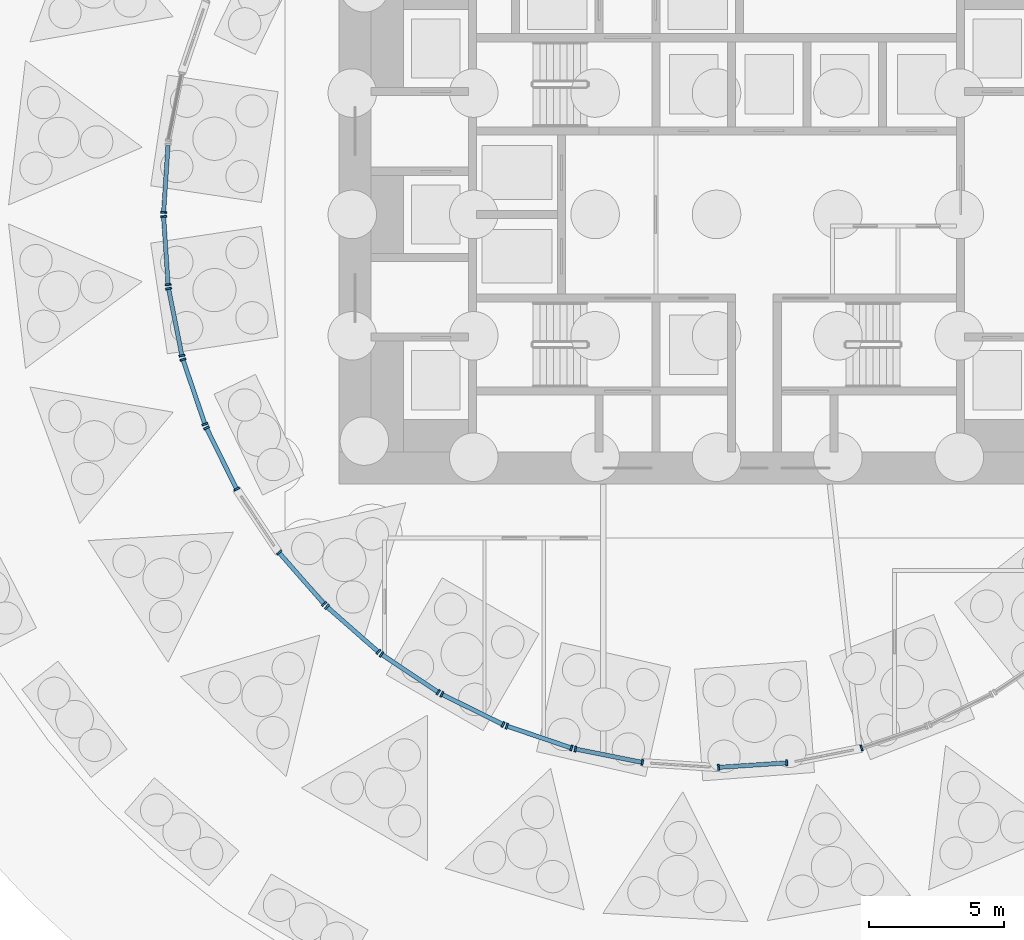
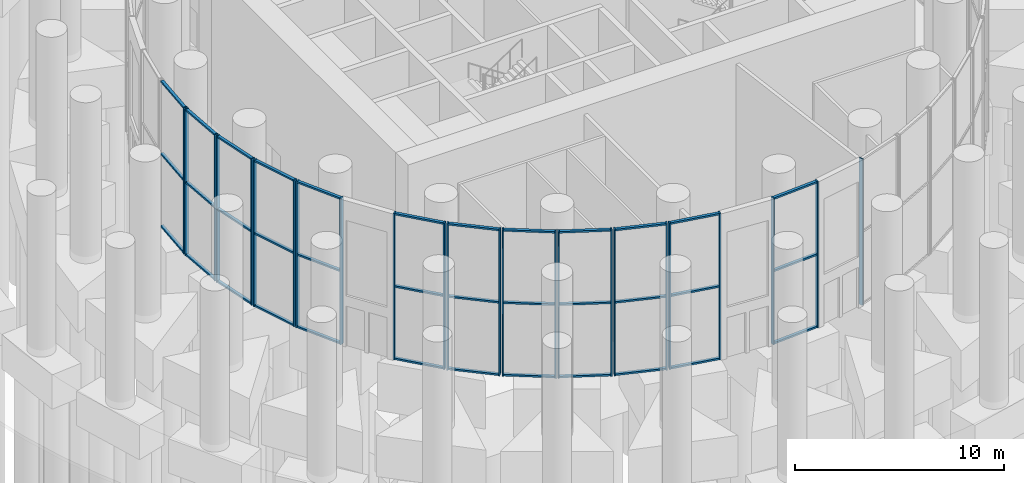
# One storey, part 6 of 20: 60 members, 13 elements without a shape of their own.
"""IFC4 building model written with IfcOpenShell, lengths in metres."""

from ifc_helpers import new_model, si_unit, direction, frame, origin, origin_2d, place, context, subcontext, project, spatial, rectangle, extrude, material, material_profile, profile_set, type_object, element, aggregate, save


model = new_model("IFC4")

# Units and contexts
model_context = context("Model", 3, precision=1e-05, world=origin(), true_north=direction((0.0, 1.0)))
body_context = subcontext(model_context, "Body", "Model", "MODEL_VIEW")
ifc_project = project(units=[si_unit("LENGTHUNIT", "METRE"), si_unit("AREAUNIT", "SQUARE_METRE"), si_unit("VOLUMEUNIT", "CUBIC_METRE"), si_unit("PLANEANGLEUNIT", "RADIAN"), si_unit("MASSUNIT", "GRAM", prefix="KILO")], contexts=[model_context])

# Site, building, storey
site_placement = place(None, origin())
site = spatial("IfcSite", under=ifc_project, at=site_placement, CompositionType="ELEMENT")
building_placement = place(site_placement, origin())
building = spatial("IfcBuilding", under=site, at=building_placement, Name="Tracery Tower", CompositionType="ELEMENT")
storey_placement = place(building_placement, origin())
storey = spatial("IfcBuildingStorey", under=building, at=storey_placement, Name="L00", CompositionType="ELEMENT", Elevation=0.0)

# Curtain wall, member
ifc_material_1 = material(Name="Aluminium curtain wall with tinted glass", Category="aluminium")
curtain_wall_type = type_object("IfcCurtainWallType", Name="Pavilion storefront curtain wall", PredefinedType="NOTDEFINED", material=ifc_material_1)
curtain_wall_1_placement = place(storey_placement, origin())
curtain_wall_1 = element("IfcCurtainWall", 1, at=curtain_wall_1_placement, inside=storey, type_object=curtain_wall_type, Name="Pavilion storefront run 23", PredefinedType="NOTDEFINED")
ifc_material_2 = material(Name="Aluminium, bronze anodised", Category="aluminium")
ifc_material_profile_1 = material_profile(ifc_material_2, rectangle(XDim=0.219970703125, YDim=0.070068359375, at=origin_2d()), Name="Pavilion storefront mullion 70 x 220")
ifc_profile_set_1 = profile_set([ifc_material_profile_1], Name="Aluminium, bronze anodised")
member_type_1 = type_object("IfcMemberType", Name="Pavilion storefront mullion 70 x 220", PredefinedType="MULLION", material=ifc_profile_set_1)
member_1_placement = place(storey_placement, frame((-20.4951171875, 0.07470703125, 0.0), z_axis=(0.0, 0.0, 1.0), x_axis=(0.997857689569, -0.065421948674, 0.0)))
member_1 = element("IfcMember", 2, at=member_1_placement, type_object=member_type_1, Name="CWB1 mullion 2", PredefinedType="MULLION", context=body_context, shape_type="SweptSolid", body=[
    extrude(rectangle(XDim=0.219970703125, YDim=0.070068359375, at=origin_2d()), origin(), (0.0, 0.0, 1.0), 8.550048828125),
])

# Curtain wall, members
curtain_wall_2_placement = place(storey_placement, origin())
curtain_wall_2 = element("IfcCurtainWall", 3, at=curtain_wall_2_placement, inside=storey, type_object=curtain_wall_type, Name="Pavilion storefront run 24", PredefinedType="NOTDEFINED")
member_2_placement = place(storey_placement, frame((-20.4951171875, -0.07470703125, 0.0), z_axis=(0.0, 0.0, 1.0), x_axis=(0.997857689569, 0.065421948674, 0.0)))
member_2 = element("IfcMember", 4, at=member_2_placement, type_object=member_type_1, Name="CWB1 mullion 1", PredefinedType="MULLION", context=body_context, shape_type="SweptSolid", body=[
    extrude(rectangle(XDim=0.219970703125, YDim=0.070068359375, at=origin_2d()), origin(), (0.0, 0.0, 1.0), 8.550048828125),
])
member_3_placement = place(storey_placement, frame((-20.32958984375, -2.60107421875, 0.0), z_axis=(0.0, 0.0, 1.0), x_axis=(0.997857689569, 0.065421948674, 0.0)))
member_3 = element("IfcMember", 5, at=member_3_placement, type_object=member_type_1, Name="CWB1 mullion 2", PredefinedType="MULLION", context=body_context, shape_type="SweptSolid", body=[
    extrude(rectangle(XDim=0.219970703125, YDim=0.070068359375, at=origin_2d()), origin(), (0.0, 0.0, 1.0), 8.550048828125),
])

curtain_wall_3_placement = place(storey_placement, origin())
curtain_wall_3 = element("IfcCurtainWall", 6, at=curtain_wall_3_placement, inside=storey, type_object=curtain_wall_type, Name="Pavilion storefront run 25", PredefinedType="NOTDEFINED")
member_4_placement = place(storey_placement, frame((-20.31005859375, -2.749267578125, 0.0), z_axis=(0.0, 0.0, 1.0), x_axis=(0.980788574976, 0.195073758352, 0.0)))
member_4 = element("IfcMember", 7, at=member_4_placement, type_object=member_type_1, Name="CWB1 mullion 1", PredefinedType="MULLION", context=body_context, shape_type="SweptSolid", body=[
    extrude(rectangle(XDim=0.219970703125, YDim=0.070068359375, at=origin_2d()), origin(), (0.0, 0.0, 1.0), 8.550048828125),
])
member_5_placement = place(storey_placement, frame((-19.816162109375, -5.232177734375, 0.0), z_axis=(0.0, 0.0, 1.0), x_axis=(0.980788574976, 0.195073758352, 0.0)))
member_5 = element("IfcMember", 8, at=member_5_placement, type_object=member_type_1, Name="CWB1 mullion 2", PredefinedType="MULLION", context=body_context, shape_type="SweptSolid", body=[
    extrude(rectangle(XDim=0.219970703125, YDim=0.070068359375, at=origin_2d()), origin(), (0.0, 0.0, 1.0), 8.550048828125),
])

curtain_wall_4_placement = place(storey_placement, origin())
curtain_wall_4 = element("IfcCurtainWall", 9, at=curtain_wall_4_placement, inside=storey, type_object=curtain_wall_type, Name="Pavilion storefront run 26", PredefinedType="NOTDEFINED")
member_6_placement = place(storey_placement, frame((-19.77734375, -5.376953125, 0.0), z_axis=(0.0, 0.0, 1.0), x_axis=(0.946931489225, 0.32143545964, 0.0)))
member_6 = element("IfcMember", 10, at=member_6_placement, type_object=member_type_1, Name="CWB1 mullion 1", PredefinedType="MULLION", context=body_context, shape_type="SweptSolid", body=[
    extrude(rectangle(XDim=0.219970703125, YDim=0.070068359375, at=origin_2d()), origin(), (0.0, 0.0, 1.0), 8.550048828125),
])
member_7_placement = place(storey_placement, frame((-18.963623046875, -7.77392578125, 0.0), z_axis=(0.0, 0.0, 1.0), x_axis=(0.946931489225, 0.32143545964, 0.0)))
member_7 = element("IfcMember", 11, at=member_7_placement, type_object=member_type_1, Name="CWB1 mullion 2", PredefinedType="MULLION", context=body_context, shape_type="SweptSolid", body=[
    extrude(rectangle(XDim=0.219970703125, YDim=0.070068359375, at=origin_2d()), origin(), (0.0, 0.0, 1.0), 8.550048828125),
])

curtain_wall_5_placement = place(storey_placement, origin())
curtain_wall_5 = element("IfcCurtainWall", 12, at=curtain_wall_5_placement, inside=storey, type_object=curtain_wall_type, Name="Pavilion storefront run 27", PredefinedType="NOTDEFINED")
member_8_placement = place(storey_placement, frame((-18.90625, -7.912353515625, 0.0), z_axis=(0.0, 0.0, 1.0), x_axis=(0.896873794872, 0.442286554251, 0.0)))
member_8 = element("IfcMember", 13, at=member_8_placement, type_object=member_type_1, Name="CWB1 mullion 1", PredefinedType="MULLION", context=body_context, shape_type="SweptSolid", body=[
    extrude(rectangle(XDim=0.219970703125, YDim=0.070068359375, at=origin_2d()), origin(), (0.0, 0.0, 1.0), 8.550048828125),
])
member_9_placement = place(storey_placement, frame((-17.78662109375, -10.1826171875, 0.0), z_axis=(0.0, 0.0, 1.0), x_axis=(0.896873794872, 0.442286554251, 0.0)))
member_9 = element("IfcMember", 14, at=member_9_placement, type_object=member_type_1, Name="CWB1 mullion 2", PredefinedType="MULLION", context=body_context, shape_type="SweptSolid", body=[
    extrude(rectangle(XDim=0.219970703125, YDim=0.070068359375, at=origin_2d()), origin(), (0.0, 0.0, 1.0), 8.550048828125),
])

curtain_wall_6_placement = place(storey_placement, origin())
curtain_wall_6 = element("IfcCurtainWall", 15, at=curtain_wall_6_placement, inside=storey, type_object=curtain_wall_type, Name="Pavilion storefront run 29", PredefinedType="NOTDEFINED")
member_10_placement = place(storey_placement, frame((-16.21435546875, -12.5361328125, 0.0), z_axis=(0.0, 0.0, 1.0), x_axis=(0.751835665604, 0.659350537973, 0.0)))
member_10 = element("IfcMember", 16, at=member_10_placement, type_object=member_type_1, Name="CWB1 mullion 1", PredefinedType="MULLION", context=body_context, shape_type="SweptSolid", body=[
    extrude(rectangle(XDim=0.219970703125, YDim=0.070068359375, at=origin_2d()), origin(), (0.0, 0.0, 1.0), 8.550048828125),
])
member_11_placement = place(storey_placement, frame((-14.545166015625, -14.439208984375, 0.0), z_axis=(0.0, 0.0, 1.0), x_axis=(0.751835665604, 0.659350537973, 0.0)))
member_11 = element("IfcMember", 17, at=member_11_placement, type_object=member_type_1, Name="CWB1 mullion 2", PredefinedType="MULLION", context=body_context, shape_type="SweptSolid", body=[
    extrude(rectangle(XDim=0.219970703125, YDim=0.070068359375, at=origin_2d()), origin(), (0.0, 0.0, 1.0), 8.550048828125),
])

curtain_wall_7_placement = place(storey_placement, origin())
curtain_wall_7 = element("IfcCurtainWall", 18, at=curtain_wall_7_placement, inside=storey, type_object=curtain_wall_type, Name="Pavilion storefront run 30", PredefinedType="NOTDEFINED")
member_12_placement = place(storey_placement, frame((-14.439208984375, -14.545166015625, 0.0), z_axis=(0.0, 0.0, 1.0), x_axis=(0.659350537973, 0.751835665604, 0.0)))
member_12 = element("IfcMember", 19, at=member_12_placement, type_object=member_type_1, Name="CWB1 mullion 1", PredefinedType="MULLION", context=body_context, shape_type="SweptSolid", body=[
    extrude(rectangle(XDim=0.219970703125, YDim=0.070068359375, at=origin_2d()), origin(), (0.0, 0.0, 1.0), 8.550048828125),
])
member_13_placement = place(storey_placement, frame((-12.5361328125, -16.21435546875, 0.0), z_axis=(0.0, 0.0, 1.0), x_axis=(0.659350537973, 0.751835665604, 0.0)))
member_13 = element("IfcMember", 20, at=member_13_placement, type_object=member_type_1, Name="CWB1 mullion 2", PredefinedType="MULLION", context=body_context, shape_type="SweptSolid", body=[
    extrude(rectangle(XDim=0.219970703125, YDim=0.070068359375, at=origin_2d()), origin(), (0.0, 0.0, 1.0), 8.550048828125),
])

curtain_wall_8_placement = place(storey_placement, origin())
curtain_wall_8 = element("IfcCurtainWall", 21, at=curtain_wall_8_placement, inside=storey, type_object=curtain_wall_type, Name="Pavilion storefront run 31", PredefinedType="NOTDEFINED")
member_14_placement = place(storey_placement, frame((-12.417236328125, -16.305419921875, 0.0), z_axis=(0.0, 0.0, 1.0), x_axis=(0.555560344148, 0.83147621975, 0.0)))
member_14 = element("IfcMember", 22, at=member_14_placement, type_object=member_type_1, Name="CWB1 mullion 1", PredefinedType="MULLION", context=body_context, shape_type="SweptSolid", body=[
    extrude(rectangle(XDim=0.219970703125, YDim=0.070068359375, at=origin_2d()), origin(), (0.0, 0.0, 1.0), 8.550048828125),
])
member_15_placement = place(storey_placement, frame((-10.3125, -17.7119140625, 0.0), z_axis=(0.0, 0.0, 1.0), x_axis=(0.555560344148, 0.83147621975, 0.0)))
member_15 = element("IfcMember", 23, at=member_15_placement, type_object=member_type_1, Name="CWB1 mullion 2", PredefinedType="MULLION", context=body_context, shape_type="SweptSolid", body=[
    extrude(rectangle(XDim=0.219970703125, YDim=0.070068359375, at=origin_2d()), origin(), (0.0, 0.0, 1.0), 8.550048828125),
])

curtain_wall_9_placement = place(storey_placement, origin())
curtain_wall_9 = element("IfcCurtainWall", 24, at=curtain_wall_9_placement, inside=storey, type_object=curtain_wall_type, Name="Pavilion storefront run 32", PredefinedType="NOTDEFINED")
member_16_placement = place(storey_placement, frame((-10.1826171875, -17.78662109375, 0.0), z_axis=(0.0, 0.0, 1.0), x_axis=(0.442286554251, 0.896873794872, 0.0)))
member_16 = element("IfcMember", 25, at=member_16_placement, type_object=member_type_1, Name="CWB1 mullion 1", PredefinedType="MULLION", context=body_context, shape_type="SweptSolid", body=[
    extrude(rectangle(XDim=0.219970703125, YDim=0.070068359375, at=origin_2d()), origin(), (0.0, 0.0, 1.0), 8.550048828125),
])
member_17_placement = place(storey_placement, frame((-7.912353515625, -18.90625, 0.0), z_axis=(0.0, 0.0, 1.0), x_axis=(0.442286554251, 0.896873794872, 0.0)))
member_17 = element("IfcMember", 26, at=member_17_placement, type_object=member_type_1, Name="CWB1 mullion 2", PredefinedType="MULLION", context=body_context, shape_type="SweptSolid", body=[
    extrude(rectangle(XDim=0.219970703125, YDim=0.070068359375, at=origin_2d()), origin(), (0.0, 0.0, 1.0), 8.550048828125),
])

curtain_wall_10_placement = place(storey_placement, origin())
curtain_wall_10 = element("IfcCurtainWall", 27, at=curtain_wall_10_placement, inside=storey, type_object=curtain_wall_type, Name="Pavilion storefront run 33", PredefinedType="NOTDEFINED")
member_18_placement = place(storey_placement, frame((-7.77392578125, -18.963623046875, 0.0), z_axis=(0.0, 0.0, 1.0), x_axis=(0.32143545964, 0.946931489225, 0.0)))
member_18 = element("IfcMember", 28, at=member_18_placement, type_object=member_type_1, Name="CWB1 mullion 1", PredefinedType="MULLION", context=body_context, shape_type="SweptSolid", body=[
    extrude(rectangle(XDim=0.219970703125, YDim=0.070068359375, at=origin_2d()), origin(), (0.0, 0.0, 1.0), 8.550048828125),
])
member_19_placement = place(storey_placement, frame((-5.376953125, -19.77734375, 0.0), z_axis=(0.0, 0.0, 1.0), x_axis=(0.32143545964, 0.946931489225, 0.0)))
member_19 = element("IfcMember", 29, at=member_19_placement, type_object=member_type_1, Name="CWB1 mullion 2", PredefinedType="MULLION", context=body_context, shape_type="SweptSolid", body=[
    extrude(rectangle(XDim=0.219970703125, YDim=0.070068359375, at=origin_2d()), origin(), (0.0, 0.0, 1.0), 8.550048828125),
])

curtain_wall_11_placement = place(storey_placement, origin())
curtain_wall_11 = element("IfcCurtainWall", 30, at=curtain_wall_11_placement, inside=storey, type_object=curtain_wall_type, Name="Pavilion storefront run 34", PredefinedType="NOTDEFINED")
member_20_placement = place(storey_placement, frame((-5.232177734375, -19.816162109375, 0.0), z_axis=(0.0, 0.0, 1.0), x_axis=(0.195073758352, 0.980788574976, 0.0)))
member_20 = element("IfcMember", 31, at=member_20_placement, type_object=member_type_1, Name="CWB1 mullion 1", PredefinedType="MULLION", context=body_context, shape_type="SweptSolid", body=[
    extrude(rectangle(XDim=0.219970703125, YDim=0.070068359375, at=origin_2d()), origin(), (0.0, 0.0, 1.0), 8.550048828125),
])
member_21_placement = place(storey_placement, frame((-2.749267578125, -20.31005859375, 0.0), z_axis=(0.0, 0.0, 1.0), x_axis=(0.195073758352, 0.980788574976, 0.0)))
member_21 = element("IfcMember", 32, at=member_21_placement, type_object=member_type_1, Name="CWB1 mullion 2", PredefinedType="MULLION", context=body_context, shape_type="SweptSolid", body=[
    extrude(rectangle(XDim=0.219970703125, YDim=0.070068359375, at=origin_2d()), origin(), (0.0, 0.0, 1.0), 8.550048828125),
])

curtain_wall_12_placement = place(storey_placement, origin())
curtain_wall_12 = element("IfcCurtainWall", 33, at=curtain_wall_12_placement, inside=storey, type_object=curtain_wall_type, Name="Pavilion storefront run 36", PredefinedType="NOTDEFINED")
member_22_placement = place(storey_placement, frame((0.07470703125, -20.4951171875, 0.0), z_axis=(0.0, 0.0, 1.0), x_axis=(-0.065421948674, 0.997857689569, 0.0)))
member_22 = element("IfcMember", 34, at=member_22_placement, type_object=member_type_1, Name="CWB1 mullion 1", PredefinedType="MULLION", context=body_context, shape_type="SweptSolid", body=[
    extrude(rectangle(XDim=0.219970703125, YDim=0.070068359375, at=origin_2d()), origin(), (0.0, 0.0, 1.0), 8.550048828125),
])
member_23_placement = place(storey_placement, frame((2.60107421875, -20.32958984375, 0.0), z_axis=(0.0, 0.0, 1.0), x_axis=(-0.065421948674, 0.997857689569, 0.0)))
member_23 = element("IfcMember", 35, at=member_23_placement, type_object=member_type_1, Name="CWB1 mullion 2", PredefinedType="MULLION", context=body_context, shape_type="SweptSolid", body=[
    extrude(rectangle(XDim=0.219970703125, YDim=0.070068359375, at=origin_2d()), origin(), (0.0, 0.0, 1.0), 8.550048828125),
])

# Curtain wall, member
curtain_wall_13_placement = place(storey_placement, origin())
curtain_wall_13 = element("IfcCurtainWall", 36, at=curtain_wall_13_placement, inside=storey, type_object=curtain_wall_type, Name="Pavilion storefront run 38", PredefinedType="NOTDEFINED")
member_24_placement = place(storey_placement, frame((5.376953125, -19.77734375, 0.0), z_axis=(0.0, 0.0, 1.0), x_axis=(-0.32143545964, 0.946931489225, 0.0)))
member_24 = element("IfcMember", 37, at=member_24_placement, type_object=member_type_1, Name="CWB1 mullion 1", PredefinedType="MULLION", context=body_context, shape_type="SweptSolid", body=[
    extrude(rectangle(XDim=0.219970703125, YDim=0.070068359375, at=origin_2d()), origin(), (0.0, 0.0, 1.0), 8.550048828125),
])
aggregate(curtain_wall_13, [member_24])

# Member
ifc_material_3 = material(Name="Aluminium, bronze anodised", Category="aluminium")
ifc_material_profile_2 = material_profile(ifc_material_3, rectangle(XDim=0.159912109375, YDim=0.10009765625, at=origin_2d()), Name="Pavilion storefront transom 100 x 160")
ifc_profile_set_2 = profile_set([ifc_material_profile_2], Name="Aluminium, bronze anodised")
member_type_2 = type_object("IfcMemberType", Name="Pavilion storefront transom 100 x 160", PredefinedType="USERDEFINED", material=ifc_profile_set_2)
member_25_placement = place(storey_placement, frame((-20.331787109375, 2.566162109375, 0.050048828125), z_axis=(-0.065459145721, -0.997855250145, 0.0), x_axis=(0.997855250145, -0.065459145721, 0.0)))
member_25 = element("IfcMember", 38, at=member_25_placement, type_object=member_type_2, Name="CWB1 transom 1.1", ObjectType="TRANSOM", PredefinedType="USERDEFINED", context=body_context, shape_type="SweptSolid", body=[
    extrude(rectangle(XDim=0.159912109375, YDim=0.10009765625, at=origin_2d()), origin(), (0.0, 0.0, 1.0), 2.461669921875),
])

member_26_placement = place(storey_placement, frame((-20.331787109375, 2.566162109375, 4.27490234375), z_axis=(-0.065459145721, -0.997855250145, 0.0), x_axis=(0.997855250145, -0.065459145721, 0.0)))
member_26 = element("IfcMember", 39, at=member_26_placement, type_object=member_type_2, Name="CWB1 transom 1.2", ObjectType="TRANSOM", PredefinedType="USERDEFINED", context=body_context, shape_type="SweptSolid", body=[
    extrude(rectangle(XDim=0.159912109375, YDim=0.10009765625, at=origin_2d()), origin(), (0.0, 0.0, 1.0), 2.461669921875),
])

member_27_placement = place(storey_placement, frame((-20.331787109375, 2.566162109375, 8.5), z_axis=(-0.065459145721, -0.997855250145, 0.0), x_axis=(0.997855250145, -0.065459145721, 0.0)))
member_27 = element("IfcMember", 40, at=member_27_placement, type_object=member_type_2, Name="CWB1 transom 1.3", ObjectType="TRANSOM", PredefinedType="USERDEFINED", context=body_context, shape_type="SweptSolid", body=[
    extrude(rectangle(XDim=0.159912109375, YDim=0.10009765625, at=origin_2d()), origin(), (0.0, 0.0, 1.0), 2.461669921875),
])

aggregate(curtain_wall_1, [member_1, member_25, member_26, member_27])

member_28_placement = place(storey_placement, frame((-20.492919921875, -0.10986328125, 0.050048828125), z_axis=(0.065459145721, -0.997855250145, 0.0), x_axis=(0.997855250145, 0.065459145721, 0.0)))
member_28 = element("IfcMember", 41, at=member_28_placement, type_object=member_type_2, Name="CWB1 transom 1.1", ObjectType="TRANSOM", PredefinedType="USERDEFINED", context=body_context, shape_type="SweptSolid", body=[
    extrude(rectangle(XDim=0.159912109375, YDim=0.10009765625, at=origin_2d()), origin(), (0.0, 0.0, 1.0), 2.461669921875),
])

member_29_placement = place(storey_placement, frame((-20.492919921875, -0.10986328125, 4.27490234375), z_axis=(0.065459145721, -0.997855250145, 0.0), x_axis=(0.997855250145, 0.065459145721, 0.0)))
member_29 = element("IfcMember", 42, at=member_29_placement, type_object=member_type_2, Name="CWB1 transom 1.2", ObjectType="TRANSOM", PredefinedType="USERDEFINED", context=body_context, shape_type="SweptSolid", body=[
    extrude(rectangle(XDim=0.159912109375, YDim=0.10009765625, at=origin_2d()), origin(), (0.0, 0.0, 1.0), 2.461669921875),
])

member_30_placement = place(storey_placement, frame((-20.492919921875, -0.10986328125, 8.5), z_axis=(0.065459145721, -0.997855250145, 0.0), x_axis=(0.997855250145, 0.065459145721, 0.0)))
member_30 = element("IfcMember", 43, at=member_30_placement, type_object=member_type_2, Name="CWB1 transom 1.3", ObjectType="TRANSOM", PredefinedType="USERDEFINED", context=body_context, shape_type="SweptSolid", body=[
    extrude(rectangle(XDim=0.159912109375, YDim=0.10009765625, at=origin_2d()), origin(), (0.0, 0.0, 1.0), 2.461669921875),
])

aggregate(curtain_wall_2, [member_2, member_3, member_28, member_29, member_30])

member_31_placement = place(storey_placement, frame((-20.30322265625, -2.78369140625, 0.050048828125), z_axis=(0.195086085948, -0.980786123, 0.0), x_axis=(0.980786123, 0.195086085948, 0.0)))
member_31 = element("IfcMember", 44, at=member_31_placement, type_object=member_type_2, Name="CWB1 transom 1.1", ObjectType="TRANSOM", PredefinedType="USERDEFINED", context=body_context, shape_type="SweptSolid", body=[
    extrude(rectangle(XDim=0.159912109375, YDim=0.10009765625, at=origin_2d()), origin(), (0.0, 0.0, 1.0), 2.461669921875),
])

member_32_placement = place(storey_placement, frame((-20.30322265625, -2.78369140625, 4.27490234375), z_axis=(0.195086085948, -0.980786123, 0.0), x_axis=(0.980786123, 0.195086085948, 0.0)))
member_32 = element("IfcMember", 45, at=member_32_placement, type_object=member_type_2, Name="CWB1 transom 1.2", ObjectType="TRANSOM", PredefinedType="USERDEFINED", context=body_context, shape_type="SweptSolid", body=[
    extrude(rectangle(XDim=0.159912109375, YDim=0.10009765625, at=origin_2d()), origin(), (0.0, 0.0, 1.0), 2.461669921875),
])

member_33_placement = place(storey_placement, frame((-20.30322265625, -2.78369140625, 8.5), z_axis=(0.195086085948, -0.980786123, 0.0), x_axis=(0.980786123, 0.195086085948, 0.0)))
member_33 = element("IfcMember", 46, at=member_33_placement, type_object=member_type_2, Name="CWB1 transom 1.3", ObjectType="TRANSOM", PredefinedType="USERDEFINED", context=body_context, shape_type="SweptSolid", body=[
    extrude(rectangle(XDim=0.159912109375, YDim=0.10009765625, at=origin_2d()), origin(), (0.0, 0.0, 1.0), 2.461669921875),
])

aggregate(curtain_wall_3, [member_4, member_5, member_31, member_32, member_33])

member_34_placement = place(storey_placement, frame((-19.76611328125, -5.409912109375, 0.050048828125), z_axis=(0.32145993775, -0.946923179789, 0.0), x_axis=(0.946923179789, 0.32145993775, 0.0)))
member_34 = element("IfcMember", 47, at=member_34_placement, type_object=member_type_2, Name="CWB1 transom 1.1", ObjectType="TRANSOM", PredefinedType="USERDEFINED", context=body_context, shape_type="SweptSolid", body=[
    extrude(rectangle(XDim=0.159912109375, YDim=0.10009765625, at=origin_2d()), origin(), (0.0, 0.0, 1.0), 2.46142578125),
])

member_35_placement = place(storey_placement, frame((-19.76611328125, -5.409912109375, 4.27490234375), z_axis=(0.32145993775, -0.946923179789, 0.0), x_axis=(0.946923179789, 0.32145993775, 0.0)))
member_35 = element("IfcMember", 48, at=member_35_placement, type_object=member_type_2, Name="CWB1 transom 1.2", ObjectType="TRANSOM", PredefinedType="USERDEFINED", context=body_context, shape_type="SweptSolid", body=[
    extrude(rectangle(XDim=0.159912109375, YDim=0.10009765625, at=origin_2d()), origin(), (0.0, 0.0, 1.0), 2.46142578125),
])

member_36_placement = place(storey_placement, frame((-19.76611328125, -5.409912109375, 8.5), z_axis=(0.32145993775, -0.946923179789, 0.0), x_axis=(0.946923179789, 0.32145993775, 0.0)))
member_36 = element("IfcMember", 49, at=member_36_placement, type_object=member_type_2, Name="CWB1 transom 1.3", ObjectType="TRANSOM", PredefinedType="USERDEFINED", context=body_context, shape_type="SweptSolid", body=[
    extrude(rectangle(XDim=0.159912109375, YDim=0.10009765625, at=origin_2d()), origin(), (0.0, 0.0, 1.0), 2.46142578125),
])

aggregate(curtain_wall_4, [member_6, member_7, member_34, member_35, member_36])

member_37_placement = place(storey_placement, frame((-18.890869140625, -7.943603515625, 0.050048828125), z_axis=(0.442247676253, -0.896892966216, 0.0), x_axis=(0.896892966216, 0.442247676253, 0.0)))
member_37 = element("IfcMember", 50, at=member_37_placement, type_object=member_type_2, Name="CWB1 transom 1.1", ObjectType="TRANSOM", PredefinedType="USERDEFINED", context=body_context, shape_type="SweptSolid", body=[
    extrude(rectangle(XDim=0.159912109375, YDim=0.10009765625, at=origin_2d()), origin(), (0.0, 0.0, 1.0), 2.461669921875),
])

member_38_placement = place(storey_placement, frame((-18.890869140625, -7.943603515625, 4.27490234375), z_axis=(0.442247676253, -0.896892966216, 0.0), x_axis=(0.896892966216, 0.442247676253, 0.0)))
member_38 = element("IfcMember", 51, at=member_38_placement, type_object=member_type_2, Name="CWB1 transom 1.2", ObjectType="TRANSOM", PredefinedType="USERDEFINED", context=body_context, shape_type="SweptSolid", body=[
    extrude(rectangle(XDim=0.159912109375, YDim=0.10009765625, at=origin_2d()), origin(), (0.0, 0.0, 1.0), 2.461669921875),
])

member_39_placement = place(storey_placement, frame((-18.890869140625, -7.943603515625, 8.5), z_axis=(0.442247676253, -0.896892966216, 0.0), x_axis=(0.896892966216, 0.442247676253, 0.0)))
member_39 = element("IfcMember", 52, at=member_39_placement, type_object=member_type_2, Name="CWB1 transom 1.3", ObjectType="TRANSOM", PredefinedType="USERDEFINED", context=body_context, shape_type="SweptSolid", body=[
    extrude(rectangle(XDim=0.159912109375, YDim=0.10009765625, at=origin_2d()), origin(), (0.0, 0.0, 1.0), 2.461669921875),
])

aggregate(curtain_wall_5, [member_8, member_9, member_37, member_38, member_39])

member_40_placement = place(storey_placement, frame((-16.191162109375, -12.562255859375, 0.050048828125), z_axis=(0.659269644382, -0.751906600581, 0.0), x_axis=(0.751906600581, 0.659269644382, 0.0)))
member_40 = element("IfcMember", 53, at=member_40_placement, type_object=member_type_2, Name="CWB1 transom 1.1", ObjectType="TRANSOM", PredefinedType="USERDEFINED", context=body_context, shape_type="SweptSolid", body=[
    extrude(rectangle(XDim=0.159912109375, YDim=0.10009765625, at=origin_2d()), origin(), (0.0, 0.0, 1.0), 2.46142578125),
])

member_41_placement = place(storey_placement, frame((-16.191162109375, -12.562255859375, 4.27490234375), z_axis=(0.659269644382, -0.751906600581, 0.0), x_axis=(0.751906600581, 0.659269644382, 0.0)))
member_41 = element("IfcMember", 54, at=member_41_placement, type_object=member_type_2, Name="CWB1 transom 1.2", ObjectType="TRANSOM", PredefinedType="USERDEFINED", context=body_context, shape_type="SweptSolid", body=[
    extrude(rectangle(XDim=0.159912109375, YDim=0.10009765625, at=origin_2d()), origin(), (0.0, 0.0, 1.0), 2.46142578125),
])

member_42_placement = place(storey_placement, frame((-16.191162109375, -12.562255859375, 8.5), z_axis=(0.659269644382, -0.751906600581, 0.0), x_axis=(0.751906600581, 0.659269644382, 0.0)))
member_42 = element("IfcMember", 55, at=member_42_placement, type_object=member_type_2, Name="CWB1 transom 1.3", ObjectType="TRANSOM", PredefinedType="USERDEFINED", context=body_context, shape_type="SweptSolid", body=[
    extrude(rectangle(XDim=0.159912109375, YDim=0.10009765625, at=origin_2d()), origin(), (0.0, 0.0, 1.0), 2.46142578125),
])

aggregate(curtain_wall_6, [member_10, member_11, member_40, member_41, member_42])

member_43_placement = place(storey_placement, frame((-14.4130859375, -14.568359375, 0.050048828125), z_axis=(0.751906600581, -0.659269644382, 0.0), x_axis=(0.659269644382, 0.751906600581, 0.0)))
member_43 = element("IfcMember", 56, at=member_43_placement, type_object=member_type_2, Name="CWB1 transom 1.1", ObjectType="TRANSOM", PredefinedType="USERDEFINED", context=body_context, shape_type="SweptSolid", body=[
    extrude(rectangle(XDim=0.159912109375, YDim=0.10009765625, at=origin_2d()), origin(), (0.0, 0.0, 1.0), 2.46142578125),
])

member_44_placement = place(storey_placement, frame((-14.4130859375, -14.568359375, 4.27490234375), z_axis=(0.751906600581, -0.659269644382, 0.0), x_axis=(0.659269644382, 0.751906600581, 0.0)))
member_44 = element("IfcMember", 57, at=member_44_placement, type_object=member_type_2, Name="CWB1 transom 1.2", ObjectType="TRANSOM", PredefinedType="USERDEFINED", context=body_context, shape_type="SweptSolid", body=[
    extrude(rectangle(XDim=0.159912109375, YDim=0.10009765625, at=origin_2d()), origin(), (0.0, 0.0, 1.0), 2.46142578125),
])

member_45_placement = place(storey_placement, frame((-14.4130859375, -14.568359375, 8.5), z_axis=(0.751906600581, -0.659269644382, 0.0), x_axis=(0.659269644382, 0.751906600581, 0.0)))
member_45 = element("IfcMember", 58, at=member_45_placement, type_object=member_type_2, Name="CWB1 transom 1.3", ObjectType="TRANSOM", PredefinedType="USERDEFINED", context=body_context, shape_type="SweptSolid", body=[
    extrude(rectangle(XDim=0.159912109375, YDim=0.10009765625, at=origin_2d()), origin(), (0.0, 0.0, 1.0), 2.46142578125),
])

aggregate(curtain_wall_7, [member_12, member_13, member_43, member_44, member_45])

member_46_placement = place(storey_placement, frame((-12.38818359375, -16.324951171875, 0.050048828125), z_axis=(0.831485259968, -0.555546813919, 0.0), x_axis=(0.555546813919, 0.831485259968, 0.0)))
member_46 = element("IfcMember", 59, at=member_46_placement, type_object=member_type_2, Name="CWB1 transom 1.1", ObjectType="TRANSOM", PredefinedType="USERDEFINED", context=body_context, shape_type="SweptSolid", body=[
    extrude(rectangle(XDim=0.159912109375, YDim=0.10009765625, at=origin_2d()), origin(), (0.0, 0.0, 1.0), 2.46142578125),
])

member_47_placement = place(storey_placement, frame((-12.38818359375, -16.324951171875, 4.27490234375), z_axis=(0.831485259968, -0.555546813919, 0.0), x_axis=(0.555546813919, 0.831485259968, 0.0)))
member_47 = element("IfcMember", 60, at=member_47_placement, type_object=member_type_2, Name="CWB1 transom 1.2", ObjectType="TRANSOM", PredefinedType="USERDEFINED", context=body_context, shape_type="SweptSolid", body=[
    extrude(rectangle(XDim=0.159912109375, YDim=0.10009765625, at=origin_2d()), origin(), (0.0, 0.0, 1.0), 2.46142578125),
])

member_48_placement = place(storey_placement, frame((-12.38818359375, -16.324951171875, 8.5), z_axis=(0.831485259968, -0.555546813919, 0.0), x_axis=(0.555546813919, 0.831485259968, 0.0)))
member_48 = element("IfcMember", 61, at=member_48_placement, type_object=member_type_2, Name="CWB1 transom 1.3", ObjectType="TRANSOM", PredefinedType="USERDEFINED", context=body_context, shape_type="SweptSolid", body=[
    extrude(rectangle(XDim=0.159912109375, YDim=0.10009765625, at=origin_2d()), origin(), (0.0, 0.0, 1.0), 2.46142578125),
])

aggregate(curtain_wall_8, [member_14, member_15, member_46, member_47, member_48])

member_49_placement = place(storey_placement, frame((-10.1513671875, -17.80224609375, 0.050048828125), z_axis=(0.896892966216, -0.442247676253, 0.0), x_axis=(0.442247676253, 0.896892966216, 0.0)))
member_49 = element("IfcMember", 62, at=member_49_placement, type_object=member_type_2, Name="CWB1 transom 1.1", ObjectType="TRANSOM", PredefinedType="USERDEFINED", context=body_context, shape_type="SweptSolid", body=[
    extrude(rectangle(XDim=0.159912109375, YDim=0.10009765625, at=origin_2d()), origin(), (0.0, 0.0, 1.0), 2.461669921875),
])

member_50_placement = place(storey_placement, frame((-10.1513671875, -17.80224609375, 4.27490234375), z_axis=(0.896892966216, -0.442247676253, 0.0), x_axis=(0.442247676253, 0.896892966216, 0.0)))
member_50 = element("IfcMember", 63, at=member_50_placement, type_object=member_type_2, Name="CWB1 transom 1.2", ObjectType="TRANSOM", PredefinedType="USERDEFINED", context=body_context, shape_type="SweptSolid", body=[
    extrude(rectangle(XDim=0.159912109375, YDim=0.10009765625, at=origin_2d()), origin(), (0.0, 0.0, 1.0), 2.461669921875),
])

member_51_placement = place(storey_placement, frame((-10.1513671875, -17.80224609375, 8.5), z_axis=(0.896892966216, -0.442247676253, 0.0), x_axis=(0.442247676253, 0.896892966216, 0.0)))
member_51 = element("IfcMember", 64, at=member_51_placement, type_object=member_type_2, Name="CWB1 transom 1.3", ObjectType="TRANSOM", PredefinedType="USERDEFINED", context=body_context, shape_type="SweptSolid", body=[
    extrude(rectangle(XDim=0.159912109375, YDim=0.10009765625, at=origin_2d()), origin(), (0.0, 0.0, 1.0), 2.461669921875),
])

aggregate(curtain_wall_9, [member_16, member_17, member_49, member_50, member_51])

member_52_placement = place(storey_placement, frame((-7.74072265625, -18.974853515625, 0.050048828125), z_axis=(0.946923179789, -0.32145993775, 0.0), x_axis=(0.32145993775, 0.946923179789, 0.0)))
member_52 = element("IfcMember", 65, at=member_52_placement, type_object=member_type_2, Name="CWB1 transom 1.1", ObjectType="TRANSOM", PredefinedType="USERDEFINED", context=body_context, shape_type="SweptSolid", body=[
    extrude(rectangle(XDim=0.159912109375, YDim=0.10009765625, at=origin_2d()), origin(), (0.0, 0.0, 1.0), 2.46142578125),
])

member_53_placement = place(storey_placement, frame((-7.74072265625, -18.974853515625, 4.27490234375), z_axis=(0.946923179789, -0.32145993775, 0.0), x_axis=(0.32145993775, 0.946923179789, 0.0)))
member_53 = element("IfcMember", 66, at=member_53_placement, type_object=member_type_2, Name="CWB1 transom 1.2", ObjectType="TRANSOM", PredefinedType="USERDEFINED", context=body_context, shape_type="SweptSolid", body=[
    extrude(rectangle(XDim=0.159912109375, YDim=0.10009765625, at=origin_2d()), origin(), (0.0, 0.0, 1.0), 2.46142578125),
])

member_54_placement = place(storey_placement, frame((-7.74072265625, -18.974853515625, 8.5), z_axis=(0.946923179789, -0.32145993775, 0.0), x_axis=(0.32145993775, 0.946923179789, 0.0)))
member_54 = element("IfcMember", 67, at=member_54_placement, type_object=member_type_2, Name="CWB1 transom 1.3", ObjectType="TRANSOM", PredefinedType="USERDEFINED", context=body_context, shape_type="SweptSolid", body=[
    extrude(rectangle(XDim=0.159912109375, YDim=0.10009765625, at=origin_2d()), origin(), (0.0, 0.0, 1.0), 2.46142578125),
])

aggregate(curtain_wall_10, [member_18, member_19, member_52, member_53, member_54])

member_55_placement = place(storey_placement, frame((-5.197998046875, -19.822998046875, 0.050048828125), z_axis=(0.980786123, -0.195086085948, 0.0), x_axis=(0.195086085948, 0.980786123, 0.0)))
member_55 = element("IfcMember", 68, at=member_55_placement, type_object=member_type_2, Name="CWB1 transom 1.1", ObjectType="TRANSOM", PredefinedType="USERDEFINED", context=body_context, shape_type="SweptSolid", body=[
    extrude(rectangle(XDim=0.159912109375, YDim=0.10009765625, at=origin_2d()), origin(), (0.0, 0.0, 1.0), 2.461669921875),
])

member_56_placement = place(storey_placement, frame((-5.197998046875, -19.822998046875, 4.27490234375), z_axis=(0.980786123, -0.195086085948, 0.0), x_axis=(0.195086085948, 0.980786123, 0.0)))
member_56 = element("IfcMember", 69, at=member_56_placement, type_object=member_type_2, Name="CWB1 transom 1.2", ObjectType="TRANSOM", PredefinedType="USERDEFINED", context=body_context, shape_type="SweptSolid", body=[
    extrude(rectangle(XDim=0.159912109375, YDim=0.10009765625, at=origin_2d()), origin(), (0.0, 0.0, 1.0), 2.461669921875),
])

member_57_placement = place(storey_placement, frame((-5.197998046875, -19.822998046875, 8.5), z_axis=(0.980786123, -0.195086085948, 0.0), x_axis=(0.195086085948, 0.980786123, 0.0)))
member_57 = element("IfcMember", 70, at=member_57_placement, type_object=member_type_2, Name="CWB1 transom 1.3", ObjectType="TRANSOM", PredefinedType="USERDEFINED", context=body_context, shape_type="SweptSolid", body=[
    extrude(rectangle(XDim=0.159912109375, YDim=0.10009765625, at=origin_2d()), origin(), (0.0, 0.0, 1.0), 2.461669921875),
])

aggregate(curtain_wall_11, [member_20, member_21, member_55, member_56, member_57])

member_58_placement = place(storey_placement, frame((0.10986328125, -20.492919921875, 0.050048828125), z_axis=(0.997855250145, 0.065459145721, 0.0), x_axis=(-0.065459145721, 0.997855250145, 0.0)))
member_58 = element("IfcMember", 71, at=member_58_placement, type_object=member_type_2, Name="CWB1 transom 1.1", ObjectType="TRANSOM", PredefinedType="USERDEFINED", context=body_context, shape_type="SweptSolid", body=[
    extrude(rectangle(XDim=0.159912109375, YDim=0.10009765625, at=origin_2d()), origin(), (0.0, 0.0, 1.0), 2.461669921875),
])

member_59_placement = place(storey_placement, frame((0.10986328125, -20.492919921875, 4.27490234375), z_axis=(0.997855250145, 0.065459145721, 0.0), x_axis=(-0.065459145721, 0.997855250145, 0.0)))
member_59 = element("IfcMember", 72, at=member_59_placement, type_object=member_type_2, Name="CWB1 transom 1.2", ObjectType="TRANSOM", PredefinedType="USERDEFINED", context=body_context, shape_type="SweptSolid", body=[
    extrude(rectangle(XDim=0.159912109375, YDim=0.10009765625, at=origin_2d()), origin(), (0.0, 0.0, 1.0), 2.461669921875),
])

member_60_placement = place(storey_placement, frame((0.10986328125, -20.492919921875, 8.5), z_axis=(0.997855250145, 0.065459145721, 0.0), x_axis=(-0.065459145721, 0.997855250145, 0.0)))
member_60 = element("IfcMember", 73, at=member_60_placement, type_object=member_type_2, Name="CWB1 transom 1.3", ObjectType="TRANSOM", PredefinedType="USERDEFINED", context=body_context, shape_type="SweptSolid", body=[
    extrude(rectangle(XDim=0.159912109375, YDim=0.10009765625, at=origin_2d()), origin(), (0.0, 0.0, 1.0), 2.461669921875),
])

aggregate(curtain_wall_12, [member_22, member_23, member_58, member_59, member_60])

save(model, "model.ifc")
